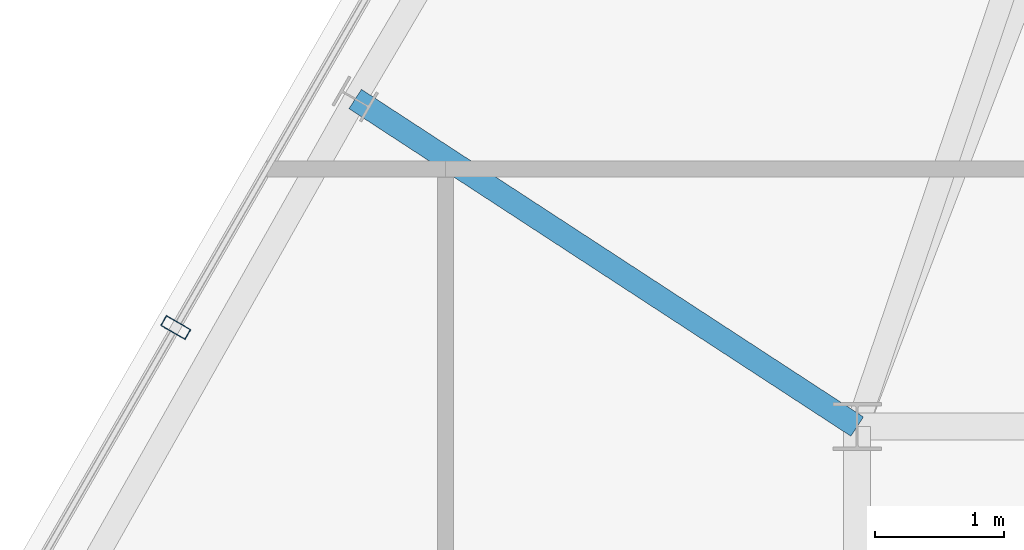
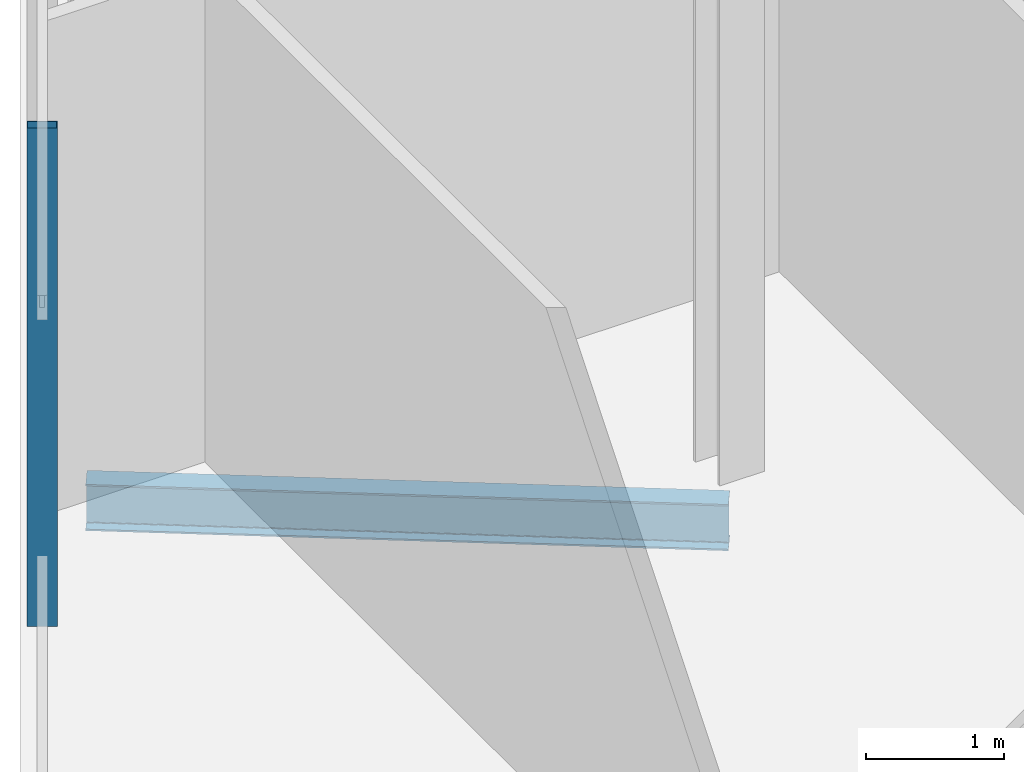
# One storey, part 9 of 25: 1 beam, 1 member, 1 element without a shape of its own.
"""IFC4 building model written with IfcOpenShell, lengths in metres."""

from ifc_helpers import new_model, si_unit, direction, frame, origin, origin_2d, place, context, subcontext, project, spatial, hollow_rectangle, i_section, extrude, material, layer, layer_set, material_profile, profile_set, type_object, element, aggregate, save


model = new_model("IFC4")

# Units and contexts
model_context = context("Model", 3, precision=1e-05, world=origin(), true_north=direction((0.0, 1.0)))
body_context = subcontext(model_context, "Body", "Model", "MODEL_VIEW")
ifc_project = project(units=[si_unit("LENGTHUNIT", "METRE"), si_unit("AREAUNIT", "SQUARE_METRE"), si_unit("VOLUMEUNIT", "CUBIC_METRE"), si_unit("PLANEANGLEUNIT", "RADIAN"), si_unit("MASSUNIT", "GRAM", prefix="KILO")], contexts=[model_context])

# Site, building, storey
site_placement = place(None, origin())
site = spatial("IfcSite", under=ifc_project, at=site_placement, CompositionType="ELEMENT")
building_placement = place(site_placement, origin())
building = spatial("IfcBuilding", under=site, at=building_placement, Name="Ndaravel Arena Tower", CompositionType="ELEMENT")
storey_placement = place(building_placement, frame((0.0, 0.0, 303.300048828125)))
storey = spatial("IfcBuildingStorey", under=building, at=storey_placement, Name="L74", CompositionType="ELEMENT", Elevation=303.300048828125)

# Beam
ifc_material_1 = material(Name="Steel S355", Category="steel")
ifc_material_profile_1 = material_profile(ifc_material_1, i_section(OverallWidth=0.1787109375, OverallDepth=0.409423828125, WebThickness=0.0087890625, FlangeThickness=0.014404296875, FilletRadius=0.01025390625, at=origin_2d()), Name="UB 406x178x67")
ifc_profile_set_1 = profile_set([ifc_material_profile_1], Name="Steel S355")
beam_type = type_object("IfcBeamType", Name="BM-GIRD-UB406", PredefinedType="BEAM", material=ifc_profile_set_1)
beam_placement = place(storey_placement, frame((30.2998046875, 25.745361328125, -0.48486328125), z_axis=(0.837430135703, -0.546544387783, 0.0), x_axis=(0.546544387783, 0.837430135703, 0.0)))
element("IfcBeam", 1, at=beam_placement, inside=storey, type_object=beam_type, Name="L74 Radial Floor Girder FG-19", PredefinedType="BEAM", context=body_context, shape_type="SweptSolid", body=[
    extrude(i_section(OverallWidth=0.1787109375, OverallDepth=0.409423828125, WebThickness=0.0087890625, FlangeThickness=0.014404296875, FilletRadius=0.01025390625, at=origin_2d()), origin(), (0.0, 0.0, 1.0), 4.6572265625),
])

# Curtain wall, member
ifc_material_2 = material(Name="Aluminium", Category="aluminium")
ifc_layer = layer(ifc_material_2, 0.179931640625)
ifc_layer_set = layer_set([ifc_layer], Name="Aluminium")
curtain_wall_type = type_object("IfcCurtainWallType", Name="CW-SYS-04", PredefinedType="NOTDEFINED", material=ifc_layer_set)
curtain_wall_placement = place(storey_placement, origin())
curtain_wall = element("IfcCurtainWall", 2, at=curtain_wall_placement, inside=storey, type_object=curtain_wall_type, Name="L74 Faceted Crystal Curtain Wall CW-L74-E05", PredefinedType="NOTDEFINED")
ifc_material_3 = material(Name="Aluminium", Category="aluminium")
ifc_material_profile_2 = material_profile(ifc_material_3, hollow_rectangle(XDim=0.090087890625, YDim=0.219970703125, WallThickness=0.0048828125, at=origin_2d()), Name="CW MULLION 90x220x5")
ifc_profile_set_2 = profile_set([ifc_material_profile_2], Name="Aluminium")
member_type = type_object("IfcMemberType", Name="MEM-CW-MUL220", PredefinedType="MULLION", material=ifc_profile_set_2)
member_placement = place(storey_placement, frame((28.9052734375, 23.9697265625, 0.0), z_axis=(0.0, 0.0, 1.0), x_axis=(-0.5, -0.866025403784, 0.0)))
member = element("IfcMember", 3, at=member_placement, type_object=member_type, Name="CW-L74-E05 Mullion 05", PredefinedType="MULLION", context=body_context, shape_type="SweptSolid", body=[
    extrude(hollow_rectangle(XDim=0.090087890625, YDim=0.219970703125, WallThickness=0.0048828125, at=origin_2d()), origin(), (0.0, 0.0, 1.0), 4.39990234375),
])
aggregate(curtain_wall, [member])

save(model, "model.ifc")
